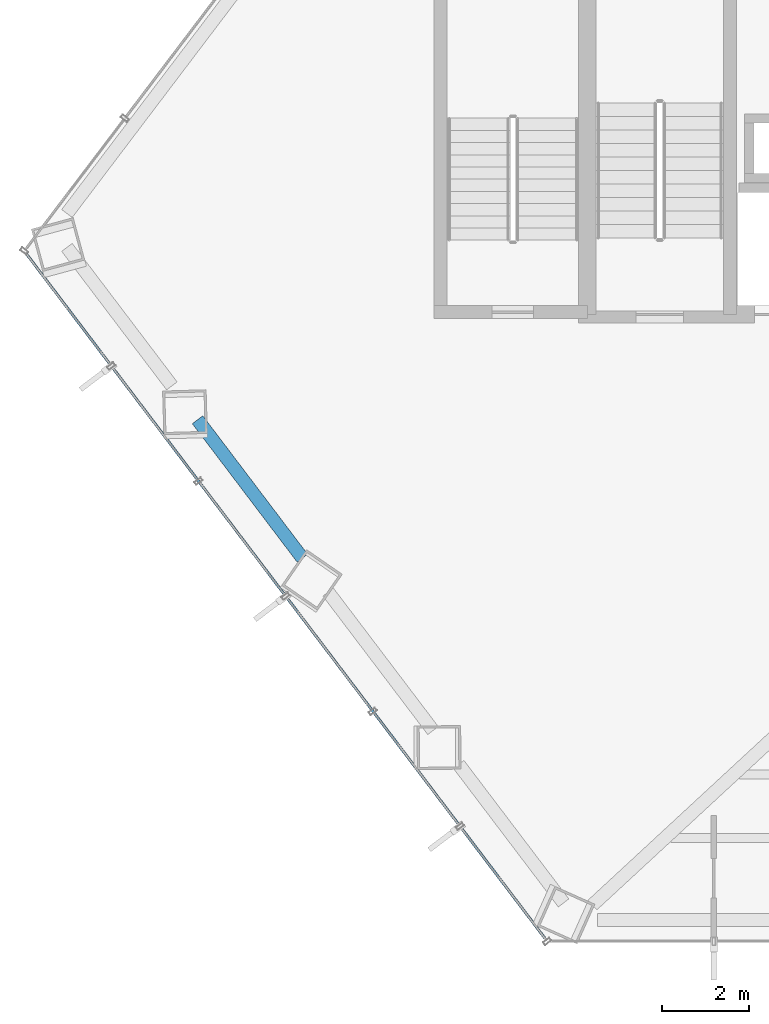
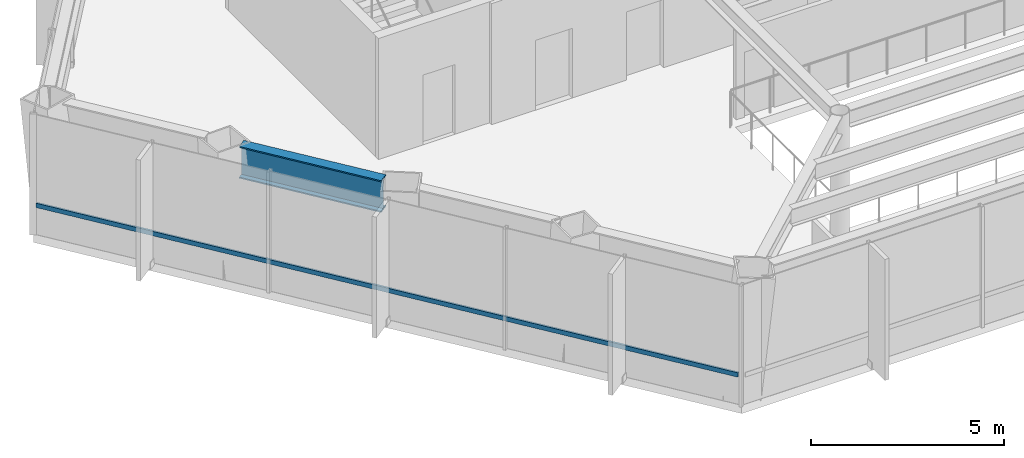
# One storey, part 3 of 26: 1 beam, 1 member, 1 element without a shape of its own.
"""IFC4 building model written with IfcOpenShell, lengths in metres."""

from ifc_helpers import new_model, si_unit, direction, frame, origin, origin_2d, place, context, subcontext, project, spatial, hollow_rectangle, i_section, extrude, material, layer, layer_set, material_profile, profile_set, type_object, element, aggregate, save


model = new_model("IFC4")

# Units and contexts
model_context = context("Model", 3, precision=1e-05, world=origin(), true_north=direction((0.0, 1.0)))
body_context = subcontext(model_context, "Body", "Model", "MODEL_VIEW")
ifc_project = project(units=[si_unit("LENGTHUNIT", "METRE"), si_unit("AREAUNIT", "SQUARE_METRE"), si_unit("VOLUMEUNIT", "CUBIC_METRE"), si_unit("PLANEANGLEUNIT", "RADIAN"), si_unit("MASSUNIT", "GRAM", prefix="KILO")], contexts=[model_context])

# Site, building, storey
site_placement = place(None, origin())
site = spatial("IfcSite", under=ifc_project, at=site_placement, CompositionType="ELEMENT")
building_placement = place(site_placement, origin())
building = spatial("IfcBuilding", under=site, at=building_placement, Name="Zarrinselat Tower", CompositionType="ELEMENT")
storey_placement = place(building_placement, frame((0.0, 0.0, 60.179931640625)))
storey = spatial("IfcBuildingStorey", under=building, at=storey_placement, Name="L14", CompositionType="ELEMENT", Elevation=60.179931640625)

# Beam
ifc_material_1 = material(Name="Steel S460M", Category="steel")
ifc_material_profile_1 = material_profile(ifc_material_1, i_section(OverallWidth=0.302001953125, OverallDepth=1.008056640625, WebThickness=0.02099609375, FlangeThickness=0.0400390625, at=origin_2d()), Name="HEM 1000")
ifc_profile_set_1 = profile_set([ifc_material_profile_1], Name="Steel S460M")
beam_type = type_object("IfcBeamType", Name="BM-HEM1000", PredefinedType="BEAM", material=ifc_profile_set_1)
beam_placement = place(storey_placement, frame((19.65478515625, 30.831298828125, 3.316162109375), z_axis=(0.603864764973, -0.797086786758, 0.0), x_axis=(0.797086786758, 0.603864764973, 0.0)))
element("IfcBeam", 1, at=beam_placement, inside=storey, type_object=beam_type, Name="L14 Perimeter Spandrel Girder SP07", PredefinedType="BEAM", context=body_context, shape_type="SweptSolid", body=[
    extrude(i_section(OverallWidth=0.302001953125, OverallDepth=1.008056640625, WebThickness=0.02099609375, FlangeThickness=0.0400390625, at=origin_2d()), origin(), (0.0, 0.0, 1.0), 3.985107421875),
])

# Curtain wall, member
ifc_material_2 = material(Name="Extruded Aluminium Alloy EN AW-6063 T6", Category="aluminium")
ifc_layer = layer(ifc_material_2, 0.18505859375)
ifc_layer_set = layer_set([ifc_layer], Name="Extruded Aluminium Alloy EN AW-6063 T6")
curtain_wall_type = type_object("IfcCurtainWallType", Name="CWS-OFF", PredefinedType="NOTDEFINED", material=ifc_layer_set)
curtain_wall_placement = place(storey_placement, origin())
curtain_wall = element("IfcCurtainWall", 2, at=curtain_wall_placement, inside=storey, type_object=curtain_wall_type, Name="L14 Unitised Curtain Wall CW-L14-E03", PredefinedType="NOTDEFINED")
ifc_material_3 = material(Name="Extruded Aluminium Alloy EN AW-6063 T6", Category="aluminium")
ifc_material_profile_2 = material_profile(ifc_material_3, hollow_rectangle(XDim=0.06005859375, YDim=0.139892578125, WallThickness=0.00390625, at=origin_2d()), Name="RHS 140x60x4")
ifc_profile_set_2 = profile_set([ifc_material_profile_2], Name="Extruded Aluminium Alloy EN AW-6063 T6")
member_type = type_object("IfcMemberType", Name="MEM-CW-TRN", PredefinedType="USERDEFINED", material=ifc_profile_set_2)
member_placement = place(storey_placement, frame((15.731201171875, 34.630615234375, 0.949951171875), z_axis=(0.603856971935, -0.797092690623, 0.0), x_axis=(0.797092690623, 0.603856971935, 0.0)))
member = element("IfcMember", 3, at=member_placement, type_object=member_type, Name="CW-L14-E03 Transom 1", ObjectType="TRANSOM", PredefinedType="USERDEFINED", context=body_context, shape_type="SweptSolid", body=[
    extrude(hollow_rectangle(XDim=0.06005859375, YDim=0.139892578125, WallThickness=0.00390625, at=origin_2d()), origin(), (0.0, 0.0, 1.0), 19.693115234375),
])
aggregate(curtain_wall, [member])

save(model, "model.ifc")
